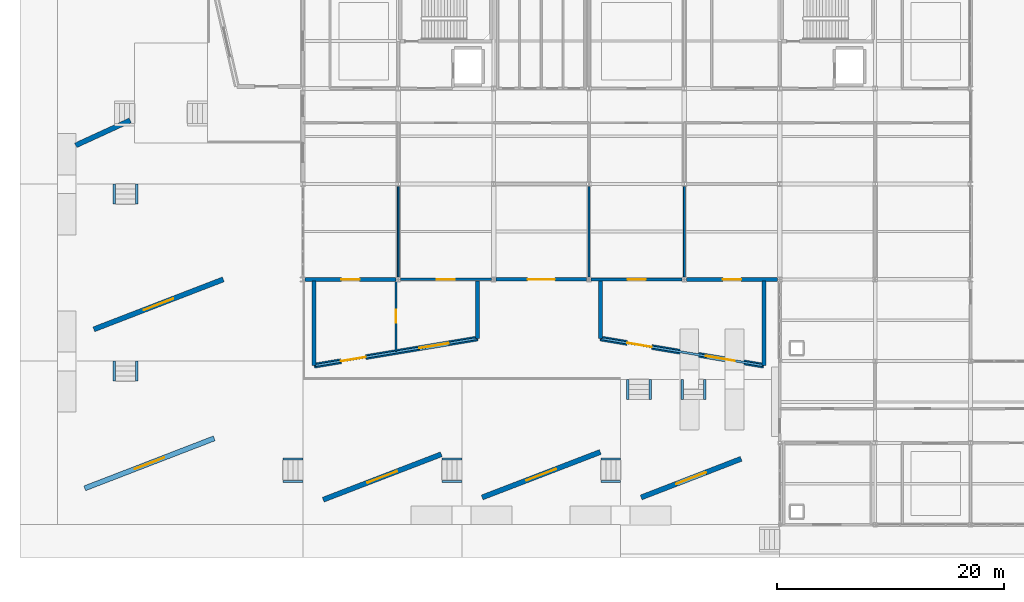
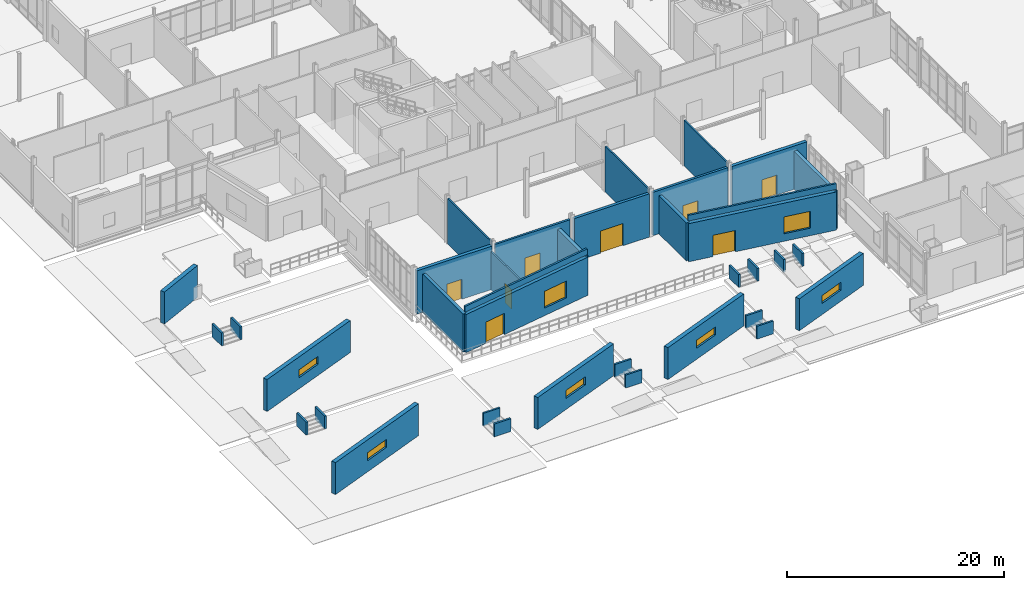
# One storey, part 188 of 229: 37 walls, 8 doors, 7 windows, 15 openings.
"""IFC4 building model written with IfcOpenShell, lengths in metres."""

from ifc_helpers import new_model, si_unit, direction, frame, frame_2d, origin, place, context, subcontext, project, spatial, rectangle, extrude, material, layer, layer_set, type_object, element, fill, save


model = new_model("IFC4")

# Units and contexts
model_context = context("Model", 3, precision=1e-05, world=origin(), true_north=direction((0.0, 1.0)))
body_context = subcontext(model_context, "Body", "Model", "MODEL_VIEW")
ifc_project = project(units=[si_unit("LENGTHUNIT", "METRE"), si_unit("AREAUNIT", "SQUARE_METRE"), si_unit("VOLUMEUNIT", "CUBIC_METRE"), si_unit("PLANEANGLEUNIT", "RADIAN"), si_unit("MASSUNIT", "GRAM", prefix="KILO")], contexts=[model_context])

# Site, building, storey
site_placement = place(None, origin())
site = spatial("IfcSite", under=ifc_project, at=site_placement, CompositionType="ELEMENT")
building_placement = place(site_placement, origin())
building = spatial("IfcBuilding", under=site, at=building_placement, Name="Calvrana Isthmian Art Gallery", CompositionType="ELEMENT")
storey_placement = place(building_placement, origin())
storey = spatial("IfcBuildingStorey", under=building, at=storey_placement, Name="L00", CompositionType="ELEMENT", Elevation=0.0)

# Wall, opening, door
ifc_material_1 = material(Name="Precast concrete C40/50", Category="concrete")
ifc_layer_1 = layer(ifc_material_1, 0.219970703125, Name="Precast concrete C40/50")
ifc_layer_set_1 = layer_set([ifc_layer_1], Name="Precast concrete C40/50")
wall_type_1 = type_object("IfcWallType", Name="EW-ACOUST-220", PredefinedType="SOLIDWALL", material=ifc_layer_set_1)
wall_1_placement = place(storey_placement, frame((38.197021484375, 21.60009765625, 0.0), z_axis=(0.0, 0.0, 1.0), x_axis=(-1.0, 0.0, 0.0)))
wall_1 = element("IfcWall", 1, at=wall_1_placement, inside=storey, type_object=wall_type_1, Name="Exterior wall EW-007", PredefinedType="SOLIDWALL", context=body_context, shape_type="SweptSolid", body=[
    extrude(rectangle(XDim=7.99755859375, YDim=0.219970703125, at=frame_2d((3.998779296875, 0.0))), origin(), (0.0, 0.0, 1.0), 4.882568359375),
])
opening_1_placement = place(wall_1_placement, frame((3.19873046875, 0.0, 0.0)))
opening_1 = element("IfcOpeningElement", 2, at=opening_1_placement, cuts=wall_1, Name="Opening D-PSW2", PredefinedType="OPENING", context=body_context, shape_type="SweptSolid", body=[
    extrude(rectangle(XDim=1.60009765625, YDim=2.25, at=frame_2d((0.800048828125, 1.125))), frame((0.0, 0.1201171875, 0.0), z_axis=(0.0, -1.0, 0.0), x_axis=(1.0, 0.0, 0.0)), (0.0, 0.0, 1.0), 0.240478515625),
])
ifc_material_2 = material(Name="Anodized bronze aluminium 6063-T6", Category="aluminium")
door_type_1 = type_object("IfcDoorType", Name="DR-EXT-TER-1600", OperationType="DOUBLE_DOOR_SINGLE_SWING", PredefinedType="DOOR", material=ifc_material_2)
door_1_placement = place(opening_1_placement, origin())
door_1 = element("IfcDoor", 3, at=door_1_placement, inside=storey, type_object=door_type_1, Name="Sunken base foyer link door PAV_EDU_SW-2", OperationType="DOUBLE_DOOR_SINGLE_SWING", OverallHeight=2.25, OverallWidth=1.60009765625, PredefinedType="DOOR", context=body_context, shape_type="SweptSolid", body=[
    extrude(rectangle(XDim=1.60009765625, YDim=2.25, at=frame_2d((0.800048828125, 1.125))), frame((0.0, 0.02490234375, 0.0), z_axis=(0.0, -1.0, 0.0), x_axis=(1.0, 0.0, 0.0)), (0.0, 0.0, 1.0), 0.050048828125),
])
fill(opening_1, door_1)

ifc_material_3 = material(Name="Pale Isthmian limestone", Category="masonry")
ifc_layer_2 = layer(ifc_material_3, 0.300048828125, Name="Pale Isthmian limestone")
ifc_layer_set_2 = layer_set([ifc_layer_2], Name="Pale Isthmian limestone")
wall_type_2 = type_object("IfcWallType", Name="EW-LIME-300", PredefinedType="SOLIDWALL", material=ifc_layer_set_2)
wall_2_placement = place(storey_placement, frame((46.599609375, 21.60009765625, 0.0), z_axis=(0.0, 0.0, 1.0), x_axis=(-1.0, 0.0, 0.0)))
wall_2 = element("IfcWall", 4, at=wall_2_placement, inside=storey, type_object=wall_type_2, Name="Exterior wall EW-008", PredefinedType="SOLIDWALL", context=body_context, shape_type="SweptSolid", body=[
    extrude(rectangle(XDim=7.99658203125, YDim=0.300048828125, at=frame_2d((3.998291015625, 0.0))), origin(), (0.0, 0.0, 1.0), 4.882568359375),
])
opening_2_placement = place(wall_2_placement, frame((2.79833984375, 0.0, 0.0)))
opening_2 = element("IfcOpeningElement", 5, at=opening_2_placement, cuts=wall_2, Name="Opening D-E06", PredefinedType="OPENING", context=body_context, shape_type="SweptSolid", body=[
    extrude(rectangle(XDim=2.39990234375, YDim=2.5, at=frame_2d((1.199951171875, 1.25))), frame((0.0, 0.16015625, 0.0), z_axis=(0.0, -1.0, 0.0), x_axis=(1.0, 0.0, 0.0)), (0.0, 0.0, 1.0), 0.320556640625),
])
door_type_2 = type_object("IfcDoorType", Name="DR-EXT-MAIN-2400", OperationType="DOUBLE_DOOR_SINGLE_SWING", PredefinedType="DOOR", material=ifc_material_2)
door_2_placement = place(opening_2_placement, origin())
door_2 = element("IfcDoor", 6, at=door_2_placement, inside=storey, type_object=door_type_2, Name="Main entrance pedestrian exit D-E06", OperationType="DOUBLE_DOOR_SINGLE_SWING", OverallHeight=2.5, OverallWidth=2.39990234375, PredefinedType="DOOR", context=body_context, shape_type="SweptSolid", body=[
    extrude(rectangle(XDim=2.39990234375, YDim=2.5, at=frame_2d((1.199951171875, 1.25))), frame((0.0, 0.02490234375, 0.0), z_axis=(0.0, -1.0, 0.0), x_axis=(1.0, 0.0, 0.0)), (0.0, 0.0, 1.0), 0.050048828125),
])
fill(opening_2, door_2)

ifc_layer_3 = layer(ifc_material_1, 0.35009765625, Name="Precast concrete C40/50")
ifc_layer_set_3 = layer_set([ifc_layer_3], Name="Precast concrete C40/50")
wall_type_3 = type_object("IfcWallType", Name="EW-PREC-350", PredefinedType="SOLIDWALL", material=ifc_layer_set_3)
wall_3_placement = place(storey_placement, frame((29.800537109375, 21.60009765625, 0.0), z_axis=(0.0, 0.0, 1.0), x_axis=(-1.0, 0.0, 0.0)))
wall_3 = element("IfcWall", 7, at=wall_3_placement, inside=storey, type_object=wall_type_3, Name="Exterior wall EW-006", PredefinedType="SOLIDWALL", context=body_context, shape_type="SweptSolid", body=[
    extrude(rectangle(XDim=7.99853515625, YDim=0.35009765625, at=frame_2d((3.999267578125, 0.0))), origin(), (0.0, 0.0, 1.0), 4.882568359375),
])
opening_3_placement = place(wall_3_placement, frame((3.19921875, 0.0, 0.0)))
opening_3 = element("IfcOpeningElement", 8, at=opening_3_placement, cuts=wall_3, Name="Opening D-PSW1", PredefinedType="OPENING", context=body_context, shape_type="SweptSolid", body=[
    extrude(rectangle(XDim=1.60009765625, YDim=2.25, at=frame_2d((0.800048828125, 1.125))), frame((0.0, 0.185302734375, 0.0), z_axis=(0.0, -1.0, 0.0), x_axis=(1.0, 0.0, 0.0)), (0.0, 0.0, 1.0), 0.37060546875),
])
door_3_placement = place(opening_3_placement, origin())
door_3 = element("IfcDoor", 9, at=door_3_placement, inside=storey, type_object=door_type_1, Name="Sunken base foyer link door PAV_EDU_SW-1", OperationType="DOUBLE_DOOR_SINGLE_SWING", OverallHeight=2.25, OverallWidth=1.60009765625, PredefinedType="DOOR", context=body_context, shape_type="SweptSolid", body=[
    extrude(rectangle(XDim=1.60009765625, YDim=2.25, at=frame_2d((0.800048828125, 1.125))), frame((0.0, 0.02490234375, 0.0), z_axis=(0.0, -1.0, 0.0), x_axis=(1.0, 0.0, 0.0)), (0.0, 0.0, 1.0), 0.050048828125),
])
fill(opening_3, door_3)

wall_4_placement = place(storey_placement, frame((63.39794921875, 21.60009765625, 0.0), z_axis=(0.0, 0.0, 1.0), x_axis=(-1.0, 0.0, 0.0)))
wall_4 = element("IfcWall", 10, at=wall_4_placement, inside=storey, type_object=wall_type_3, Name="Exterior wall EW-010", PredefinedType="SOLIDWALL", context=body_context, shape_type="SweptSolid", body=[
    extrude(rectangle(XDim=7.99853515625, YDim=0.35009765625, at=frame_2d((3.999267578125, 0.0))), origin(), (0.0, 0.0, 1.0), 4.882568359375),
])
opening_4_placement = place(wall_4_placement, frame((3.19921875, 0.0, 0.0)))
opening_4 = element("IfcOpeningElement", 11, at=opening_4_placement, cuts=wall_4, Name="Opening D-PSE2", PredefinedType="OPENING", context=body_context, shape_type="SweptSolid", body=[
    extrude(rectangle(XDim=1.60009765625, YDim=2.25, at=frame_2d((0.800048828125, 1.125))), frame((0.0, 0.185302734375, 0.0), z_axis=(0.0, -1.0, 0.0), x_axis=(1.0, 0.0, 0.0)), (0.0, 0.0, 1.0), 0.37060546875),
])
door_4_placement = place(opening_4_placement, origin())
door_4 = element("IfcDoor", 12, at=door_4_placement, inside=storey, type_object=door_type_1, Name="Sunken base foyer link door PAV_EDU_SE-2", OperationType="DOUBLE_DOOR_SINGLE_SWING", OverallHeight=2.25, OverallWidth=1.60009765625, PredefinedType="DOOR", context=body_context, shape_type="SweptSolid", body=[
    extrude(rectangle(XDim=1.60009765625, YDim=2.25, at=frame_2d((0.800048828125, 1.125))), frame((0.0, 0.02490234375, 0.0), z_axis=(0.0, -1.0, 0.0), x_axis=(1.0, 0.0, 0.0)), (0.0, 0.0, 1.0), 0.050048828125),
])
fill(opening_4, door_4)

ifc_material_4 = material(Name="Polychrome glazed terracotta", Category="masonry")
ifc_layer_4 = layer(ifc_material_4, 0.25, Name="Polychrome glazed terracotta")
ifc_layer_set_4 = layer_set([ifc_layer_4], Name="Polychrome glazed terracotta")
wall_type_4 = type_object("IfcWallType", Name="EW-TERRA-250", PredefinedType="SOLIDWALL", material=ifc_layer_set_4)
wall_5_placement = place(storey_placement, frame((55.00048828125, 21.60009765625, 0.0), z_axis=(0.0, 0.0, 1.0), x_axis=(-1.0, 0.0, 0.0)))
wall_5 = element("IfcWall", 13, at=wall_5_placement, inside=storey, type_object=wall_type_4, Name="Exterior wall EW-009", PredefinedType="SOLIDWALL", context=body_context, shape_type="SweptSolid", body=[
    extrude(rectangle(XDim=8.0, YDim=0.25, at=frame_2d((4.0, 0.0))), origin(), (0.0, 0.0, 1.0), 4.882568359375),
])
opening_5_placement = place(wall_5_placement, frame((3.199951171875, 0.0, 0.0)))
opening_5 = element("IfcOpeningElement", 14, at=opening_5_placement, cuts=wall_5, Name="Opening D-PSE1", PredefinedType="OPENING", context=body_context, shape_type="SweptSolid", body=[
    extrude(rectangle(XDim=1.60009765625, YDim=2.25, at=frame_2d((0.800048828125, 1.125))), frame((0.0, 0.13525390625, 0.0), z_axis=(0.0, -1.0, 0.0), x_axis=(1.0, 0.0, 0.0)), (0.0, 0.0, 1.0), 0.2705078125),
])
door_5_placement = place(opening_5_placement, origin())
door_5 = element("IfcDoor", 15, at=door_5_placement, inside=storey, type_object=door_type_1, Name="Sunken base foyer link door PAV_EDU_SE-1", OperationType="DOUBLE_DOOR_SINGLE_SWING", OverallHeight=2.25, OverallWidth=1.60009765625, PredefinedType="DOOR", context=body_context, shape_type="SweptSolid", body=[
    extrude(rectangle(XDim=1.60009765625, YDim=2.25, at=frame_2d((0.800048828125, 1.125))), frame((0.0, 0.02490234375, 0.0), z_axis=(0.0, -1.0, 0.0), x_axis=(1.0, 0.0, 0.0)), (0.0, 0.0, 1.0), 0.050048828125),
])
fill(opening_5, door_5)

ifc_material_5 = material(Name="Acoustic gypsum ceiling", Category="gypsum")
ifc_layer_5 = layer(ifc_material_5, 0.159912109375, Name="Acoustic gypsum ceiling")
ifc_layer_set_5 = layer_set([ifc_layer_5], Name="Acoustic gypsum ceiling")
wall_type_5 = type_object("IfcWallType", Name="PW-GAL-160", PredefinedType="PARTITIONING", material=ifc_layer_set_5)
wall_6_placement = place(storey_placement, frame((29.800048828125, 15.25, 0.0), z_axis=(0.0, 0.0, 1.0), x_axis=(0.0, 1.0, 0.0)))
wall_6 = element("IfcWall", 16, at=wall_6_placement, inside=storey, type_object=wall_type_5, Name="Interior partition PW-076", PredefinedType="PARTITIONING", context=body_context, shape_type="SweptSolid", body=[
    extrude(rectangle(XDim=6.199951171875, YDim=0.159912109375, at=frame_2d((3.10009765625, 0.0))), origin(), (0.0, 0.0, 1.0), 4.280029296875),
])
opening_6_placement = place(wall_6_placement, frame((2.52490234375, 0.0, 0.0)))
opening_6 = element("IfcOpeningElement", 17, at=opening_6_placement, cuts=wall_6, Name="Opening D-234", PredefinedType="OPENING", context=body_context, shape_type="SweptSolid", body=[
    extrude(rectangle(XDim=1.14990234375, YDim=2.199951171875, at=frame_2d((0.574951171875, 1.10009765625))), frame((0.0, 0.09033203125, 0.0), z_axis=(0.0, -1.0, 0.0), x_axis=(1.0, 0.0, 0.0)), (0.0, 0.0, 1.0), 0.180419921875),
])
ifc_material_6 = material(Name="Timber gallery flooring", Category="wood")
door_type_3 = type_object("IfcDoorType", Name="DR-RM-1150", OperationType="NOTDEFINED", PredefinedType="DOOR", material=ifc_material_6)
door_6_placement = place(opening_6_placement, origin())
door_6 = element("IfcDoor", 18, at=door_6_placement, inside=storey, type_object=door_type_3, Name="Interior door D-234", OperationType="SINGLE_SWING_RIGHT", OverallHeight=2.199951171875, OverallWidth=1.14990234375, PredefinedType="DOOR", context=body_context, shape_type="SweptSolid", body=[
    extrude(rectangle(XDim=1.14990234375, YDim=2.199951171875, at=frame_2d((0.574951171875, 1.10009765625))), frame((0.0, 0.02490234375, 0.0), z_axis=(0.0, -1.0, 0.0), x_axis=(1.0, 0.0, 0.0)), (0.0, 0.0, 1.0), 0.050048828125),
])
fill(opening_6, door_6)

# Walls
wall_7_placement = place(storey_placement, frame((30.0, 21.81201171875, 0.0), z_axis=(0.0, 0.0, 1.0), x_axis=(0.0, 1.0, 0.0)))
element("IfcWall", 19, at=wall_7_placement, inside=storey, type_object=wall_type_5, Name="Interior partition PW-078", PredefinedType="PARTITIONING", context=body_context, shape_type="SweptSolid", body=[
    extrude(rectangle(XDim=7.985107421875, YDim=0.159912109375, at=frame_2d((3.99267578125, 0.0))), origin(), (0.0, 0.0, 1.0), 5.139892578125),
])
wall_8_placement = place(storey_placement, frame((46.800048828125, 21.814453125, 0.0), z_axis=(0.0, 0.0, 1.0), x_axis=(0.0, 1.0, 0.0)))
element("IfcWall", 20, at=wall_8_placement, inside=storey, type_object=wall_type_5, Name="Interior partition PW-082", PredefinedType="PARTITIONING", context=body_context, shape_type="SweptSolid", body=[
    extrude(rectangle(XDim=7.9775390625, YDim=0.159912109375, at=frame_2d((3.98876953125, 0.0))), origin(), (0.0, 0.0, 1.0), 5.139892578125),
])
wall_9_placement = place(storey_placement, frame((55.199951171875, 21.80810546875, 0.0), z_axis=(0.0, 0.0, 1.0), x_axis=(0.0, 1.0, 0.0)))
element("IfcWall", 21, at=wall_9_placement, inside=storey, type_object=wall_type_5, Name="Interior partition PW-085", PredefinedType="PARTITIONING", context=body_context, shape_type="SweptSolid", body=[
    extrude(rectangle(XDim=7.986328125, YDim=0.159912109375, at=frame_2d((3.9931640625, 0.0))), origin(), (0.0, 0.0, 1.0), 5.139892578125),
])
ifc_layer_6 = layer(ifc_material_3, 0.199951171875, Name="Pale Isthmian limestone")
ifc_layer_set_6 = layer_set([ifc_layer_6], Name="Pale Isthmian limestone")
wall_type_6 = type_object("IfcWallType", Name="WL-PARA-200", PredefinedType="PARAPET", material=ifc_layer_set_6)
for number, where, z_axis, x_axis, name in (
    (22, (22.60009765625, 14.0, 4.5), (0.0, 0.0, 1.0), (0.986394827799, 0.164393563414, 0.0), "Sunken base roof parapet PAV_EDU_SW"),
    (23, (47.800048828125, 16.39990234375, 4.5), (0.0, 0.0, 1.0), (0.986394827799, -0.164393563414, 0.0), "Sunken base roof parapet PAV_EDU_SE"),
):
    element("IfcWall", number, at=place(storey_placement, frame(where, z_axis=z_axis, x_axis=x_axis)), inside=storey, type_object=wall_type_6, Name=name, PredefinedType="PARAPET", context=body_context, shape_type="SweptSolid", body=[
        extrude(rectangle(XDim=14.5986328125, YDim=0.199951171875, at=frame_2d((7.29931640625, 0.0))), origin(), (0.0, 0.0, 1.0), 0.64990234375),
    ])
for number, where, z_axis, x_axis, name in (
    (24, (5.010009765625, 12.639892578125, -2.39990234375), (0.0, 0.0, 1.0), (0.0, 1.0, 0.0), "Exterior terrace plinth cheek parapet L"),
    (25, (6.989990234375, 12.639892578125, -2.39990234375), (0.0, 0.0, 1.0), (0.0, 1.0, 0.0), "Exterior terrace plinth cheek parapet R"),
    (26, (19.840087890625, 5.7900390625, -2.39990234375), (0.0, 0.0, 1.0), (1.0, 0.0, 0.0), "Exterior terrace plinth cheek parapet L"),
    (27, (19.840087890625, 3.81005859375, -2.39990234375), (0.0, 0.0, 1.0), (1.0, 0.0, 0.0), "Exterior terrace plinth cheek parapet R"),
    (28, (5.010009765625, 28.239990234375, -1.800048828125), (0.0, 0.0, 1.0), (0.0, 1.0, 0.0), "Exterior terrace plinth cheek parapet L"),
    (29, (6.989990234375, 28.239990234375, -1.800048828125), (0.0, 0.0, 1.0), (0.0, 1.0, 0.0), "Exterior terrace plinth cheek parapet R"),
    (30, (33.840087890625, 5.7900390625, -1.800048828125), (0.0, 0.0, 1.0), (1.0, 0.0, 0.0), "Exterior terrace plinth cheek parapet L"),
    (31, (33.840087890625, 3.81005859375, -1.800048828125), (0.0, 0.0, 1.0), (1.0, 0.0, 0.0), "Exterior terrace plinth cheek parapet R"),
    (32, (47.840087890625, 5.7900390625, -1.199951171875), (0.0, 0.0, 1.0), (1.0, 0.0, 0.0), "Exterior terrace plinth cheek parapet L"),
    (33, (47.840087890625, 3.81005859375, -1.199951171875), (0.0, 0.0, 1.0), (1.0, 0.0, 0.0), "Exterior terrace plinth cheek parapet R"),
):
    element("IfcWall", number, at=place(storey_placement, frame(where, z_axis=z_axis, x_axis=x_axis)), inside=storey, type_object=wall_type_6, Name=name, PredefinedType="PARAPET", context=body_context, shape_type="SweptSolid", body=[
        extrude(rectangle(XDim=1.760009765625, YDim=0.199951171875, at=frame_2d((0.8798828125, 0.0))), origin(), (0.0, 0.0, 1.0), 1.449951171875),
    ])
for number, where, z_axis, x_axis, name in (
    (34, (50.2099609375, 11.0400390625, -0.60009765625), (0.0, 0.0, 1.0), (0.0, 1.0, 0.0), "Exterior terrace plinth cheek parapet L"),
    (35, (52.18994140625, 11.0400390625, -0.60009765625), (0.0, 0.0, 1.0), (0.0, 1.0, 0.0), "Exterior terrace plinth cheek parapet R"),
    (36, (55.010009765625, 11.0400390625, -0.60009765625), (0.0, 0.0, 1.0), (0.0, 1.0, 0.0), "Exterior terrace plinth cheek parapet L"),
    (37, (56.989990234375, 11.0400390625, -0.60009765625), (0.0, 0.0, 1.0), (0.0, 1.0, 0.0), "Exterior terrace plinth cheek parapet R"),
):
    element("IfcWall", number, at=place(storey_placement, frame(where, z_axis=z_axis, x_axis=x_axis)), inside=storey, type_object=wall_type_6, Name=name, PredefinedType="PARAPET", context=body_context, shape_type="SweptSolid", body=[
        extrude(rectangle(XDim=1.760009765625, YDim=0.199951171875, at=frame_2d((0.8798828125, 0.0))), origin(), (0.0, 0.0, 1.0), 1.4501953125),
    ])
ifc_material_7 = material(Name="Concrete C40/50", Category="concrete")
ifc_layer_7 = layer(ifc_material_7, 0.35009765625, Name="Concrete C40/50")
ifc_layer_set_7 = layer_set([ifc_layer_7], Name="Concrete C40/50")
wall_type_7 = type_object("IfcWallType", Name="WL-RET-350", PredefinedType="USERDEFINED", material=ifc_layer_set_7)
wall_10_placement = place(storey_placement, frame((22.60009765625, 21.449951171875, 0.0), z_axis=(0.0, 0.0, 1.0), x_axis=(0.0, -1.0, 0.0)))
element("IfcWall", 38, at=wall_10_placement, inside=storey, type_object=wall_type_7, Name="Sunken base return wall PAV_EDU_SW-1", ObjectType="RETAINING WALL", PredefinedType="USERDEFINED", context=body_context, shape_type="SweptSolid", body=[
    extrude(rectangle(XDim=7.449951171875, YDim=0.35009765625, at=frame_2d((3.72509765625, 0.0))), origin(), (0.0, 0.0, 1.0), 4.300048828125),
])
for number, where, z_axis, x_axis, name in (
    (39, (37.0, 16.39990234375, 0.0), (0.0, 0.0, 1.0), (0.0, 1.0, 0.0), "Sunken base return wall PAV_EDU_SW-2"),
    (40, (47.800048828125, 21.449951171875, 0.0), (0.0, 0.0, 1.0), (0.0, -1.0, 0.0), "Sunken base return wall PAV_EDU_SE-1"),
):
    element("IfcWall", number, at=place(storey_placement, frame(where, z_axis=z_axis, x_axis=x_axis)), inside=storey, type_object=wall_type_7, Name=name, ObjectType="RETAINING WALL", PredefinedType="USERDEFINED", context=body_context, shape_type="SweptSolid", body=[
        extrude(rectangle(XDim=5.050048828125, YDim=0.35009765625, at=frame_2d((2.52490234375, 0.0))), origin(), (0.0, 0.0, 1.0), 4.300048828125),
    ])
wall_11_placement = place(storey_placement, frame((62.199951171875, 14.0, 0.0), z_axis=(0.0, 0.0, 1.0), x_axis=(0.0, 1.0, 0.0)))
element("IfcWall", 41, at=wall_11_placement, inside=storey, type_object=wall_type_7, Name="Sunken base return wall PAV_EDU_SE-2", ObjectType="RETAINING WALL", PredefinedType="USERDEFINED", context=body_context, shape_type="SweptSolid", body=[
    extrude(rectangle(XDim=7.449951171875, YDim=0.35009765625, at=frame_2d((3.72509765625, 0.0))), origin(), (0.0, 0.0, 1.0), 4.300048828125),
])

# Wall, openings, door, window
ifc_layer_8 = layer(ifc_material_7, 0.449951171875, Name="Concrete C40/50")
ifc_layer_set_8 = layer_set([ifc_layer_8], Name="Concrete C40/50")
wall_type_8 = type_object("IfcWallType", Name="WL-RET-450", PredefinedType="USERDEFINED", material=ifc_layer_set_8)
wall_12_placement = place(storey_placement, frame((22.60009765625, 14.0, 0.0), z_axis=(0.0, 0.0, 1.0), x_axis=(0.986394827799, 0.164393563414, 0.0)))
wall_12 = element("IfcWall", 42, at=wall_12_placement, inside=storey, type_object=wall_type_8, Name="Angled architectural concrete base wall ACW-01", ObjectType="RETAINING WALL", PredefinedType="USERDEFINED", context=body_context, shape_type="SweptSolid", body=[
    extrude(rectangle(XDim=14.5986328125, YDim=0.449951171875, at=frame_2d((7.29931640625, 0.0))), origin(), (0.0, 0.0, 1.0), 4.300048828125),
])
opening_7_placement = place(wall_12_placement, frame((2.39990234375, 0.0, 0.0)))
opening_7 = element("IfcOpeningElement", 43, at=opening_7_placement, cuts=wall_12, Name="Opening D-E19", PredefinedType="OPENING", context=body_context, shape_type="SweptSolid", body=[
    extrude(rectangle(XDim=2.199951171875, YDim=2.39990234375, at=frame_2d((1.10009765625, 1.199951171875))), frame((0.0, 0.2353515625, 0.0), z_axis=(0.0, -1.0, 0.0), x_axis=(1.0, 0.0, 0.0)), (0.0, 0.0, 1.0), 0.470458984375),
])
opening_8_placement = place(wall_12_placement, frame((9.398681640625, 0.0, 0.85009765625)))
opening_8 = element("IfcOpeningElement", 44, at=opening_8_placement, cuts=wall_12, Name="Opening W-501", PredefinedType="OPENING", context=body_context, shape_type="SweptSolid", body=[
    extrude(rectangle(XDim=2.60009765625, YDim=1.89990234375, at=frame_2d((1.300048828125, 0.949951171875))), frame((0.0, 0.2353515625, 0.0), z_axis=(0.0, -1.0, 0.0), x_axis=(1.0, 0.0, 0.0)), (0.0, 0.0, 1.0), 0.470458984375),
])
door_type_4 = type_object("IfcDoorType", Name="DR-EXT-MAIN-2200", OperationType="DOUBLE_DOOR_SINGLE_SWING", PredefinedType="DOOR", material=ifc_material_2)
door_7_placement = place(opening_7_placement, origin())
door_7 = element("IfcDoor", 45, at=door_7_placement, inside=storey, type_object=door_type_4, Name="Sunken base public entrance D-E19", OperationType="DOUBLE_DOOR_SINGLE_SWING", OverallHeight=2.39990234375, OverallWidth=2.199951171875, PredefinedType="DOOR", context=body_context, shape_type="SweptSolid", body=[
    extrude(rectangle(XDim=2.199951171875, YDim=2.39990234375, at=frame_2d((1.10009765625, 1.199951171875))), frame((0.0, 0.02490234375, 0.0), z_axis=(0.0, -1.0, 0.0), x_axis=(1.0, 0.0, 0.0)), (0.0, 0.0, 1.0), 0.050048828125),
])
fill(opening_7, door_7)
ifc_material_8 = material(Name="Low-E laminated solar glass", Category="glass")
window_type_1 = type_object("IfcWindowType", Name="WN-S01", PartitioningType="DOUBLE_PANEL_VERTICAL", PredefinedType="WINDOW", material=ifc_material_8)
window_1_placement = place(opening_8_placement, origin())
window_1 = element("IfcWindow", 46, at=window_1_placement, inside=storey, type_object=window_type_1, Name="Sunken base studio window W-501", OverallHeight=1.89990234375, OverallWidth=2.60009765625, PartitioningType="SINGLE_PANEL", PredefinedType="WINDOW", context=body_context, shape_type="SweptSolid", body=[
    extrude(rectangle(XDim=2.60009765625, YDim=1.89990234375, at=frame_2d((1.300048828125, 0.949951171875))), frame((0.0, 0.030029296875, 0.0), z_axis=(0.0, -1.0, 0.0), x_axis=(1.0, 0.0, 0.0)), (0.0, 0.0, 1.0), 0.06005859375),
])
fill(opening_8, window_1)

wall_13_placement = place(storey_placement, frame((47.800048828125, 16.39990234375, 0.0), z_axis=(0.0, 0.0, 1.0), x_axis=(0.986394827799, -0.164393563414, 0.0)))
wall_13 = element("IfcWall", 47, at=wall_13_placement, inside=storey, type_object=wall_type_8, Name="Angled architectural concrete base wall ACW-02", ObjectType="RETAINING WALL", PredefinedType="USERDEFINED", context=body_context, shape_type="SweptSolid", body=[
    extrude(rectangle(XDim=14.5986328125, YDim=0.449951171875, at=frame_2d((7.29931640625, 0.0))), origin(), (0.0, 0.0, 1.0), 4.300048828125),
])
opening_9_placement = place(wall_13_placement, frame((2.39990234375, 0.0, 0.0)))
opening_9 = element("IfcOpeningElement", 48, at=opening_9_placement, cuts=wall_13, Name="Opening D-E20", PredefinedType="OPENING", context=body_context, shape_type="SweptSolid", body=[
    extrude(rectangle(XDim=2.199951171875, YDim=2.39990234375, at=frame_2d((1.10009765625, 1.199951171875))), frame((0.0, 0.2353515625, 0.0), z_axis=(0.0, -1.0, 0.0), x_axis=(1.0, 0.0, 0.0)), (0.0, 0.0, 1.0), 0.470458984375),
])
opening_10_placement = place(wall_13_placement, frame((9.398681640625, 0.0, 0.85009765625)))
opening_10 = element("IfcOpeningElement", 49, at=opening_10_placement, cuts=wall_13, Name="Opening W-502", PredefinedType="OPENING", context=body_context, shape_type="SweptSolid", body=[
    extrude(rectangle(XDim=2.60009765625, YDim=1.89990234375, at=frame_2d((1.300048828125, 0.949951171875))), frame((0.0, 0.2353515625, 0.0), z_axis=(0.0, -1.0, 0.0), x_axis=(1.0, 0.0, 0.0)), (0.0, 0.0, 1.0), 0.470458984375),
])
door_8_placement = place(opening_9_placement, origin())
door_8 = element("IfcDoor", 50, at=door_8_placement, inside=storey, type_object=door_type_4, Name="Sunken base public entrance D-E20", OperationType="DOUBLE_DOOR_SINGLE_SWING", OverallHeight=2.39990234375, OverallWidth=2.199951171875, PredefinedType="DOOR", context=body_context, shape_type="SweptSolid", body=[
    extrude(rectangle(XDim=2.199951171875, YDim=2.39990234375, at=frame_2d((1.10009765625, 1.199951171875))), frame((0.0, 0.02490234375, 0.0), z_axis=(0.0, -1.0, 0.0), x_axis=(1.0, 0.0, 0.0)), (0.0, 0.0, 1.0), 0.050048828125),
])
fill(opening_9, door_8)
window_2_placement = place(opening_10_placement, origin())
window_2 = element("IfcWindow", 51, at=window_2_placement, inside=storey, type_object=window_type_1, Name="Sunken base studio window W-502", OverallHeight=1.89990234375, OverallWidth=2.60009765625, PartitioningType="SINGLE_PANEL", PredefinedType="WINDOW", context=body_context, shape_type="SweptSolid", body=[
    extrude(rectangle(XDim=2.60009765625, YDim=1.89990234375, at=frame_2d((1.300048828125, 0.949951171875))), frame((0.0, 0.030029296875, 0.0), z_axis=(0.0, -1.0, 0.0), x_axis=(1.0, 0.0, 0.0)), (0.0, 0.0, 1.0), 0.06005859375),
])
fill(opening_10, window_2)

# Wall, opening, window
wall_14_placement = place(storey_placement, frame((2.39990234375, 3.199951171875, -2.39990234375), z_axis=(0.0, 0.0, 1.0), x_axis=(0.932920657395, 0.360082000391, 0.0)))
wall_14 = element("IfcWall", 52, at=wall_14_placement, inside=storey, type_object=wall_type_8, Name="Angled architectural concrete court wall ACW-04", ObjectType="RETAINING WALL", PredefinedType="USERDEFINED", context=body_context, shape_type="SweptSolid", body=[
    extrude(rectangle(XDim=12.2197265625, YDim=0.449951171875, at=frame_2d((6.10986328125, 0.0))), origin(), (0.0, 0.0, 1.0), 3.599853515625),
])
opening_11_placement = place(wall_14_placement, frame((4.709716796875, 0.0, 1.25)))
opening_11 = element("IfcOpeningElement", 53, at=opening_11_placement, cuts=wall_14, Name="Opening W-504", PredefinedType="OPENING", context=body_context, shape_type="SweptSolid", body=[
    extrude(rectangle(XDim=2.800048828125, YDim=0.89990234375, at=frame_2d((1.39990234375, 0.449951171875))), frame((0.0, 0.2353515625, 0.0), z_axis=(0.0, -1.0, 0.0), x_axis=(1.0, 0.0, 0.0)), (0.0, 0.0, 1.0), 0.470458984375),
])
window_type_2 = type_object("IfcWindowType", Name="WN-C04", PartitioningType="DOUBLE_PANEL_VERTICAL", PredefinedType="WINDOW", material=ifc_material_8)
window_3_placement = place(opening_11_placement, origin())
window_3 = element("IfcWindow", 54, at=window_3_placement, inside=storey, type_object=window_type_2, Name="Angled court aperture window W-504", OverallHeight=0.89990234375, OverallWidth=2.800048828125, PartitioningType="SINGLE_PANEL", PredefinedType="WINDOW", context=body_context, shape_type="SweptSolid", body=[
    extrude(rectangle(XDim=2.800048828125, YDim=0.89990234375, at=frame_2d((1.39990234375, 0.449951171875))), frame((0.0, 0.030029296875, 0.0), z_axis=(0.0, -1.0, 0.0), x_axis=(1.0, 0.0, 0.0)), (0.0, 0.0, 1.0), 0.06005859375),
])
fill(opening_11, window_3)

wall_15_placement = place(storey_placement, frame((3.199951171875, 17.199951171875, -1.800048828125), z_axis=(0.0, 0.0, 1.0), x_axis=(0.932920657395, 0.360082000391, 0.0)))
wall_15 = element("IfcWall", 55, at=wall_15_placement, inside=storey, type_object=wall_type_8, Name="Angled architectural concrete court wall ACW-05", ObjectType="RETAINING WALL", PredefinedType="USERDEFINED", context=body_context, shape_type="SweptSolid", body=[
    extrude(rectangle(XDim=12.2197265625, YDim=0.449951171875, at=frame_2d((6.10986328125, 0.0))), origin(), (0.0, 0.0, 1.0), 3.60009765625),
])
opening_12_placement = place(wall_15_placement, frame((4.709716796875, 0.0, 1.25)))
opening_12 = element("IfcOpeningElement", 56, at=opening_12_placement, cuts=wall_15, Name="Opening W-505", PredefinedType="OPENING", context=body_context, shape_type="SweptSolid", body=[
    extrude(rectangle(XDim=2.800048828125, YDim=0.89990234375, at=frame_2d((1.39990234375, 0.449951171875))), frame((0.0, 0.2353515625, 0.0), z_axis=(0.0, -1.0, 0.0), x_axis=(1.0, 0.0, 0.0)), (0.0, 0.0, 1.0), 0.470458984375),
])
window_4_placement = place(opening_12_placement, origin())
window_4 = element("IfcWindow", 57, at=window_4_placement, inside=storey, type_object=window_type_2, Name="Angled court aperture window W-505", OverallHeight=0.89990234375, OverallWidth=2.800048828125, PartitioningType="SINGLE_PANEL", PredefinedType="WINDOW", context=body_context, shape_type="SweptSolid", body=[
    extrude(rectangle(XDim=2.800048828125, YDim=0.89990234375, at=frame_2d((1.39990234375, 0.449951171875))), frame((0.0, 0.030029296875, 0.0), z_axis=(0.0, -1.0, 0.0), x_axis=(1.0, 0.0, 0.0)), (0.0, 0.0, 1.0), 0.06005859375),
])
fill(opening_12, window_4)

# Wall
wall_16_placement = place(storey_placement, frame((1.60009765625, 33.39990234375, -1.199951171875), z_axis=(0.0, 0.0, 1.0), x_axis=(0.909044389395, 0.416699289788, 0.0)))
element("IfcWall", 58, at=wall_16_placement, inside=storey, type_object=wall_type_8, Name="Angled architectural concrete court wall ACW-06", ObjectType="RETAINING WALL", PredefinedType="USERDEFINED", context=body_context, shape_type="SweptSolid", body=[
    extrude(rectangle(XDim=5.280029296875, YDim=0.449951171875, at=frame_2d((2.64013671875, 0.0))), origin(), (0.0, 0.0, 1.0), 3.599853515625),
])

# Wall, opening, window
wall_17_placement = place(storey_placement, frame((23.39990234375, 2.199951171875, -1.800048828125), z_axis=(0.0, 0.0, 1.0), x_axis=(0.933347300271, 0.358974674702, 0.0)))
wall_17 = element("IfcWall", 59, at=wall_17_placement, inside=storey, type_object=wall_type_8, Name="Angled architectural concrete court wall ACW-07", ObjectType="RETAINING WALL", PredefinedType="USERDEFINED", context=body_context, shape_type="SweptSolid", body=[
    extrude(rectangle(XDim=11.142822265625, YDim=0.449951171875, at=frame_2d((5.5712890625, 0.0))), origin(), (0.0, 0.0, 1.0), 3.60009765625),
])
opening_13_placement = place(wall_17_placement, frame((4.17138671875, 0.0, 1.25)))
opening_13 = element("IfcOpeningElement", 60, at=opening_13_placement, cuts=wall_17, Name="Opening W-506", PredefinedType="OPENING", context=body_context, shape_type="SweptSolid", body=[
    extrude(rectangle(XDim=2.800048828125, YDim=0.89990234375, at=frame_2d((1.39990234375, 0.449951171875))), frame((0.0, 0.2353515625, 0.0), z_axis=(0.0, -1.0, 0.0), x_axis=(1.0, 0.0, 0.0)), (0.0, 0.0, 1.0), 0.470458984375),
])
window_5_placement = place(opening_13_placement, origin())
window_5 = element("IfcWindow", 61, at=window_5_placement, inside=storey, type_object=window_type_2, Name="Angled court aperture window W-506", OverallHeight=0.89990234375, OverallWidth=2.800048828125, PartitioningType="SINGLE_PANEL", PredefinedType="WINDOW", context=body_context, shape_type="SweptSolid", body=[
    extrude(rectangle(XDim=2.800048828125, YDim=0.89990234375, at=frame_2d((1.39990234375, 0.449951171875))), frame((0.0, 0.030029296875, 0.0), z_axis=(0.0, -1.0, 0.0), x_axis=(1.0, 0.0, 0.0)), (0.0, 0.0, 1.0), 0.06005859375),
])
fill(opening_13, window_5)

wall_18_placement = place(storey_placement, frame((37.39990234375, 2.39990234375, -1.199951171875), z_axis=(0.0, 0.0, 1.0), x_axis=(0.933347300271, 0.358974674702, 0.0)))
wall_18 = element("IfcWall", 62, at=wall_18_placement, inside=storey, type_object=wall_type_8, Name="Angled architectural concrete court wall ACW-08", ObjectType="RETAINING WALL", PredefinedType="USERDEFINED", context=body_context, shape_type="SweptSolid", body=[
    extrude(rectangle(XDim=11.142822265625, YDim=0.449951171875, at=frame_2d((5.5712890625, 0.0))), origin(), (0.0, 0.0, 1.0), 3.599853515625),
])
opening_14_placement = place(wall_18_placement, frame((4.17138671875, 0.0, 1.25)))
opening_14 = element("IfcOpeningElement", 63, at=opening_14_placement, cuts=wall_18, Name="Opening W-507", PredefinedType="OPENING", context=body_context, shape_type="SweptSolid", body=[
    extrude(rectangle(XDim=2.800048828125, YDim=0.89990234375, at=frame_2d((1.39990234375, 0.449951171875))), frame((0.0, 0.2353515625, 0.0), z_axis=(0.0, -1.0, 0.0), x_axis=(1.0, 0.0, 0.0)), (0.0, 0.0, 1.0), 0.470458984375),
])
window_6_placement = place(opening_14_placement, origin())
window_6 = element("IfcWindow", 64, at=window_6_placement, inside=storey, type_object=window_type_2, Name="Angled court aperture window W-507", OverallHeight=0.89990234375, OverallWidth=2.800048828125, PartitioningType="SINGLE_PANEL", PredefinedType="WINDOW", context=body_context, shape_type="SweptSolid", body=[
    extrude(rectangle(XDim=2.800048828125, YDim=0.89990234375, at=frame_2d((1.39990234375, 0.449951171875))), frame((0.0, 0.030029296875, 0.0), z_axis=(0.0, -1.0, 0.0), x_axis=(1.0, 0.0, 0.0)), (0.0, 0.0, 1.0), 0.06005859375),
])
fill(opening_14, window_6)

wall_19_placement = place(storey_placement, frame((51.39990234375, 2.39990234375, -0.60009765625), z_axis=(0.0, 0.0, 1.0), x_axis=(0.932793586679, 0.360411049568, 0.0)))
wall_19 = element("IfcWall", 65, at=wall_19_placement, inside=storey, type_object=wall_type_8, Name="Angled architectural concrete court wall ACW-09", ObjectType="RETAINING WALL", PredefinedType="USERDEFINED", context=body_context, shape_type="SweptSolid", body=[
    extrude(rectangle(XDim=9.43408203125, YDim=0.449951171875, at=frame_2d((4.717041015625, 0.0))), origin(), (0.0, 0.0, 1.0), 3.60009765625),
])
opening_15_placement = place(wall_19_placement, frame((3.31689453125, 0.0, 1.25)))
opening_15 = element("IfcOpeningElement", 66, at=opening_15_placement, cuts=wall_19, Name="Opening W-508", PredefinedType="OPENING", context=body_context, shape_type="SweptSolid", body=[
    extrude(rectangle(XDim=2.800048828125, YDim=0.89990234375, at=frame_2d((1.39990234375, 0.449951171875))), frame((0.0, 0.2353515625, 0.0), z_axis=(0.0, -1.0, 0.0), x_axis=(1.0, 0.0, 0.0)), (0.0, 0.0, 1.0), 0.470458984375),
])
window_7_placement = place(opening_15_placement, origin())
window_7 = element("IfcWindow", 67, at=window_7_placement, inside=storey, type_object=window_type_2, Name="Angled court aperture window W-508", OverallHeight=0.89990234375, OverallWidth=2.800048828125, PartitioningType="SINGLE_PANEL", PredefinedType="WINDOW", context=body_context, shape_type="SweptSolid", body=[
    extrude(rectangle(XDim=2.800048828125, YDim=0.89990234375, at=frame_2d((1.39990234375, 0.449951171875))), frame((0.0, 0.030029296875, 0.0), z_axis=(0.0, -1.0, 0.0), x_axis=(1.0, 0.0, 0.0)), (0.0, 0.0, 1.0), 0.06005859375),
])
fill(opening_15, window_7)

save(model, "model.ifc")
